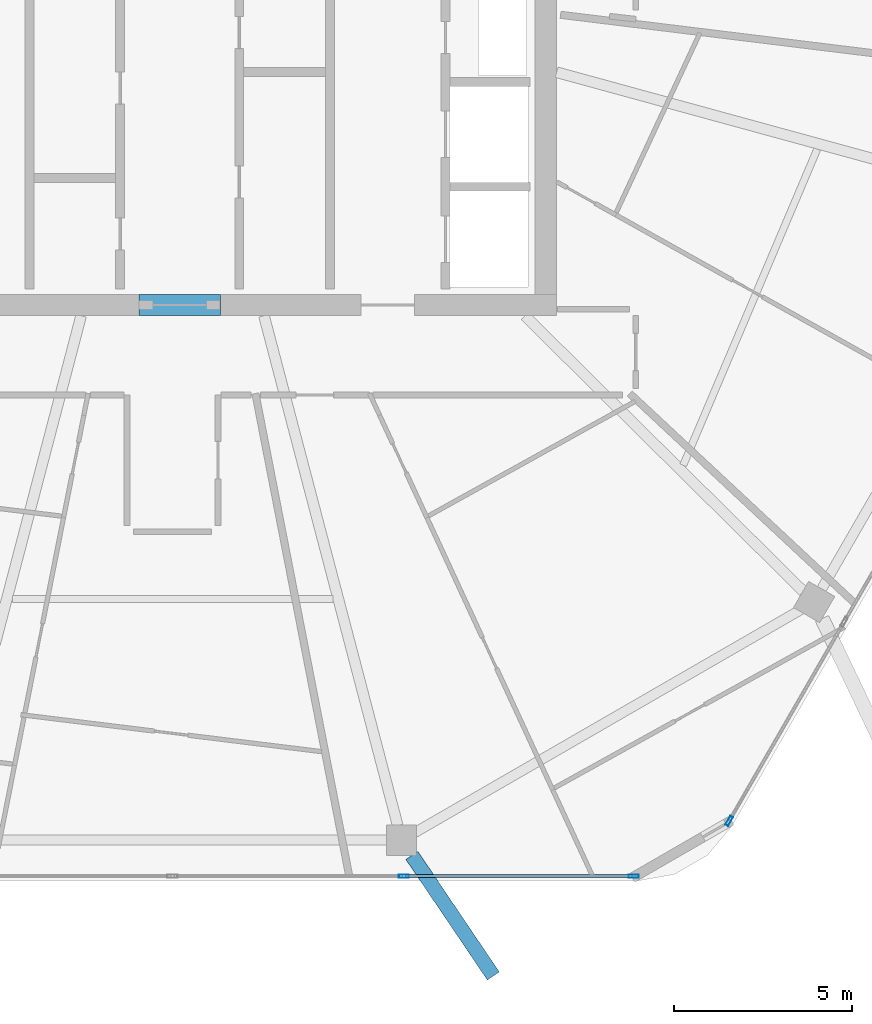
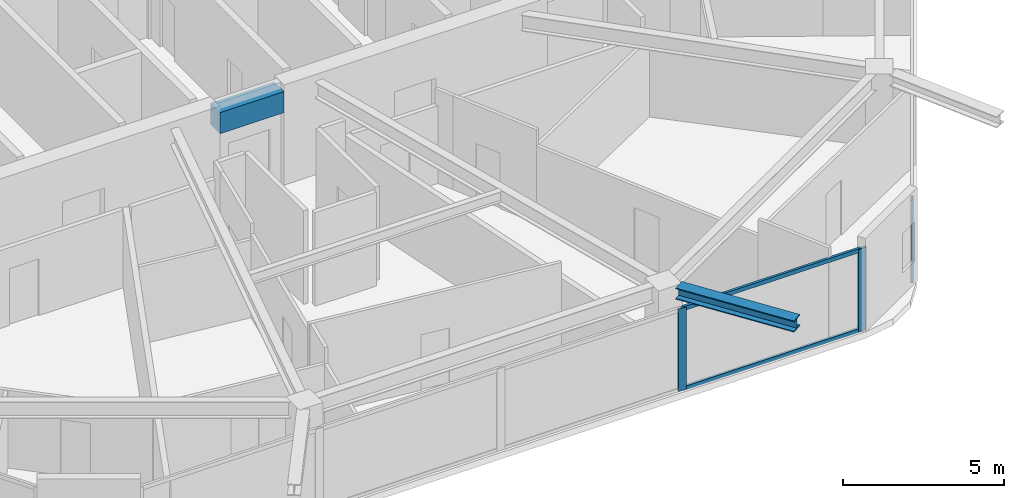
# One storey, part 7 of 26: 5 members, 2 beams, 2 elements without a shape of their own.
"""IFC4 building model written with IfcOpenShell, lengths in metres."""

from ifc_helpers import new_model, si_unit, direction, frame, origin, origin_2d, place, context, subcontext, project, spatial, rectangle, hollow_rectangle, i_section, extrude, material, material_profile, profile_set, type_object, element, aggregate, save


model = new_model("IFC4")

# Units and contexts
model_context = context("Model", 3, precision=1e-05, world=origin(), true_north=direction((0.0, 1.0)))
body_context = subcontext(model_context, "Body", "Model", "MODEL_VIEW")
ifc_project = project(units=[si_unit("LENGTHUNIT", "METRE"), si_unit("AREAUNIT", "SQUARE_METRE"), si_unit("VOLUMEUNIT", "CUBIC_METRE"), si_unit("PLANEANGLEUNIT", "RADIAN"), si_unit("MASSUNIT", "GRAM", prefix="KILO")], contexts=[model_context])

# Site, building, storey
site_placement = place(None, origin())
site = spatial("IfcSite", under=ifc_project, at=site_placement, CompositionType="ELEMENT")
building_placement = place(site_placement, origin())
building = spatial("IfcBuilding", under=site, at=building_placement, Name="Zuhravey Tower", CompositionType="ELEMENT")
storey_placement = place(building_placement, frame((0.0, 0.0, 273.0)))
storey = spatial("IfcBuildingStorey", under=building, at=storey_placement, Name="L69", CompositionType="ELEMENT", Elevation=273.0)

# Beam
ifc_material_1 = material(Name="Concrete C50/60", Category="concrete")
ifc_material_profile_1 = material_profile(ifc_material_1, rectangle(XDim=0.60009765625, YDim=0.800048828125, at=origin_2d()), Name="RC-600x800")
ifc_profile_set_1 = profile_set([ifc_material_profile_1], Name="Concrete C50/60")
beam_type_1 = type_object("IfcBeamType", Name="Core Coupling Beam RC600x800", PredefinedType="LINTEL", material=ifc_profile_set_1)
beam_1_placement = place(storey_placement, frame((35.052001953125, 22.5, 3.14990234375), z_axis=(1.0, 0.0, 0.0), x_axis=(0.0, 1.0, 0.0)))
element("IfcBeam", 1, at=beam_1_placement, inside=storey, type_object=beam_type_1, Name="L69 CB2 BM-L69-CB-S", PredefinedType="LINTEL", context=body_context, shape_type="SweptSolid", body=[
    extrude(rectangle(XDim=0.60009765625, YDim=0.800048828125, at=origin_2d()), origin(), (0.0, 0.0, 1.0), 2.2958984375),
])

# Curtain wall, member
ifc_material_2 = material(Name="Thermally broken anodised aluminium", Category="aluminium")
curtain_wall_type = type_object("IfcCurtainWallType", Name="Zone 3-4 High-Rise Curtain Wall CW4", PredefinedType="NOTDEFINED", material=ifc_material_2)
curtain_wall_1_placement = place(storey_placement, origin())
curtain_wall_1 = element("IfcCurtainWall", 2, at=curtain_wall_1_placement, inside=storey, type_object=curtain_wall_type, Name="L69 CW4 CW-L69-F6-1", PredefinedType="NOTDEFINED")
ifc_material_3 = material(Name="Anodised aluminium", Category="aluminium")
ifc_material_profile_2 = material_profile(ifc_material_3, hollow_rectangle(XDim=0.090087890625, YDim=0.284912109375, WallThickness=0.0048828125, at=origin_2d()), Name="ALU-RHS-90x285x5")
ifc_profile_set_2 = profile_set([ifc_material_profile_2], Name="Anodised aluminium")
member_type_1 = type_object("IfcMemberType", Name="Curtain-Wall Mullion 90x180", PredefinedType="MULLION", material=ifc_profile_set_2)
member_1_placement = place(storey_placement, frame((51.65478515625, 7.98779296875, 0.0), z_axis=(0.0, 0.0, 1.0), x_axis=(0.866024851021, -0.500000957414, 0.0)))
member_1 = element("IfcMember", 3, at=member_1_placement, type_object=member_type_1, Name="CW4 mullion 5", PredefinedType="MULLION", context=body_context, shape_type="SweptSolid", body=[
    extrude(hollow_rectangle(XDim=0.090087890625, YDim=0.284912109375, WallThickness=0.0048828125, at=origin_2d()), origin(), (0.0, 0.0, 1.0), 3.1220703125),
])
aggregate(curtain_wall_1, [member_1])

# Curtain wall, members
curtain_wall_2_placement = place(storey_placement, origin())
curtain_wall_2 = element("IfcCurtainWall", 4, at=curtain_wall_2_placement, inside=storey, type_object=curtain_wall_type, Name="L69 CW4 CW-L69-F5-1", PredefinedType="NOTDEFINED")
member_2_placement = place(storey_placement, frame((48.9677734375, 6.436279296875, 0.0), z_axis=(0.0, 0.0, 1.0), x_axis=(0.0, -1.0, 0.0)))
member_2 = element("IfcMember", 5, at=member_2_placement, type_object=member_type_1, Name="CW4 mullion 1", PredefinedType="MULLION", context=body_context, shape_type="SweptSolid", body=[
    extrude(hollow_rectangle(XDim=0.090087890625, YDim=0.284912109375, WallThickness=0.0048828125, at=origin_2d()), origin(), (0.0, 0.0, 1.0), 3.1220703125),
])
member_3_placement = place(storey_placement, frame((42.50634765625, 6.436279296875, 0.0), z_axis=(0.0, 0.0, 1.0), x_axis=(0.0, -1.0, 0.0)))
member_3 = element("IfcMember", 6, at=member_3_placement, type_object=member_type_1, Name="CW4 mullion 2", PredefinedType="MULLION", context=body_context, shape_type="SweptSolid", body=[
    extrude(hollow_rectangle(XDim=0.090087890625, YDim=0.284912109375, WallThickness=0.0048828125, at=origin_2d()), origin(), (0.0, 0.0, 1.0), 3.1220703125),
])
ifc_material_profile_3 = material_profile(ifc_material_3, hollow_rectangle(XDim=0.090087890625, YDim=0.14990234375, WallThickness=0.0048828125, at=origin_2d()), Name="ALU-RHS-90x150x5")
ifc_profile_set_3 = profile_set([ifc_material_profile_3], Name="Anodised aluminium")
member_type_2 = type_object("IfcMemberType", Name="Curtain-Wall Transom 90x150", PredefinedType="USERDEFINED", material=ifc_profile_set_3)
member_4_placement = place(storey_placement, frame((48.922607421875, 6.436279296875, 0.044921875), z_axis=(-1.0, 0.0, 0.0), x_axis=(0.0, -1.0, 0.0)))
member_4 = element("IfcMember", 7, at=member_4_placement, type_object=member_type_2, Name="CW4 transom 1.1", ObjectType="TRANSOM", PredefinedType="USERDEFINED", context=body_context, shape_type="SweptSolid", body=[
    extrude(hollow_rectangle(XDim=0.090087890625, YDim=0.14990234375, WallThickness=0.0048828125, at=origin_2d()), origin(), (0.0, 0.0, 1.0), 6.371337890625),
])
member_5_placement = place(storey_placement, frame((48.922607421875, 6.436279296875, 3.076904296875), z_axis=(-1.0, 0.0, 0.0), x_axis=(0.0, -1.0, 0.0)))
member_5 = element("IfcMember", 8, at=member_5_placement, type_object=member_type_2, Name="CW4 transom 1.2", ObjectType="TRANSOM", PredefinedType="USERDEFINED", context=body_context, shape_type="SweptSolid", body=[
    extrude(hollow_rectangle(XDim=0.090087890625, YDim=0.14990234375, WallThickness=0.0048828125, at=origin_2d()), origin(), (0.0, 0.0, 1.0), 6.371337890625),
])
aggregate(curtain_wall_2, [member_2, member_3, member_4, member_5])

# Beam
ifc_material_4 = material(Name="Steel SM460", Category="steel")
ifc_material_profile_4 = material_profile(ifc_material_4, i_section(OverallWidth=0.406982421875, OverallDepth=0.427978515625, WebThickness=0.02001953125, FlangeThickness=0.034912109375, at=origin_2d()), Name="H-428x407x20x35")
ifc_profile_set_4 = profile_set([ifc_material_profile_4], Name="Steel SM460")
beam_type_2 = type_object("IfcBeamType", Name="Exoskeleton Node Tie Beam H428x407", PredefinedType="BEAM", material=ifc_profile_set_4)
beam_2_placement = place(storey_placement, frame((42.730224609375, 7.01806640625, 3.3359375), z_axis=(0.559909462854, -0.828553796326, 0.0), x_axis=(0.828553796326, 0.559909462854, 0.0)))
element("IfcBeam", 9, at=beam_2_placement, inside=storey, type_object=beam_type_2, Name="L69 Exoskeleton Node Tie NT1-10", PredefinedType="BEAM", context=body_context, shape_type="SweptSolid", body=[
    extrude(i_section(OverallWidth=0.406982421875, OverallDepth=0.427978515625, WebThickness=0.02001953125, FlangeThickness=0.034912109375, at=origin_2d()), origin(), (0.0, 0.0, 1.0), 4.09033203125),
])

save(model, "model.ifc")
